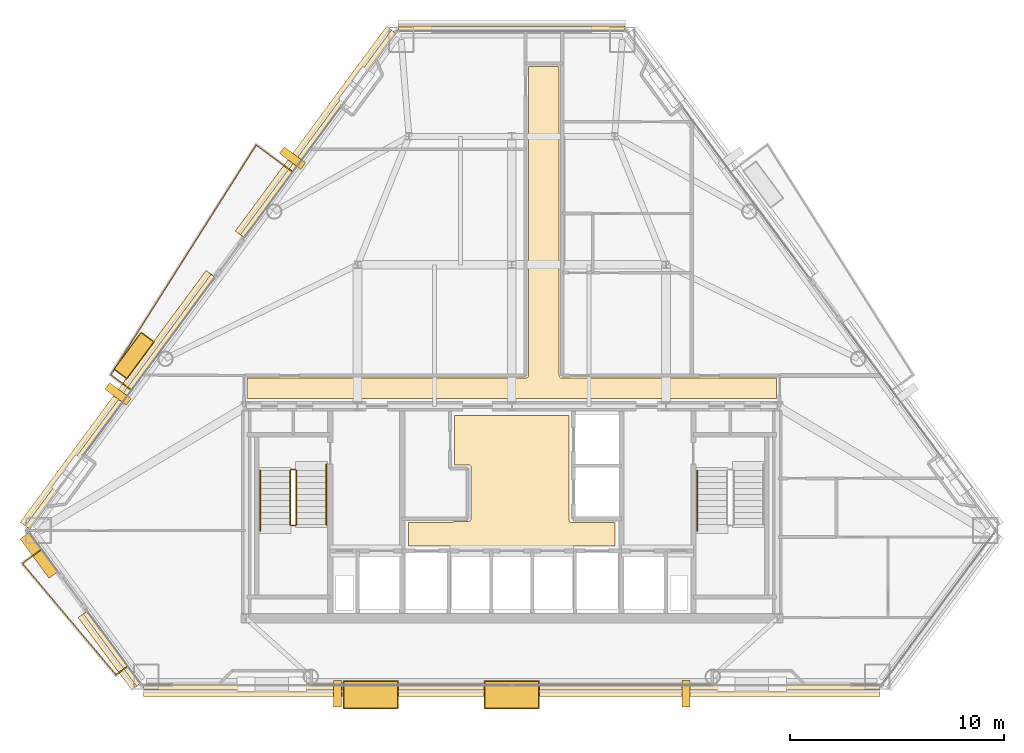
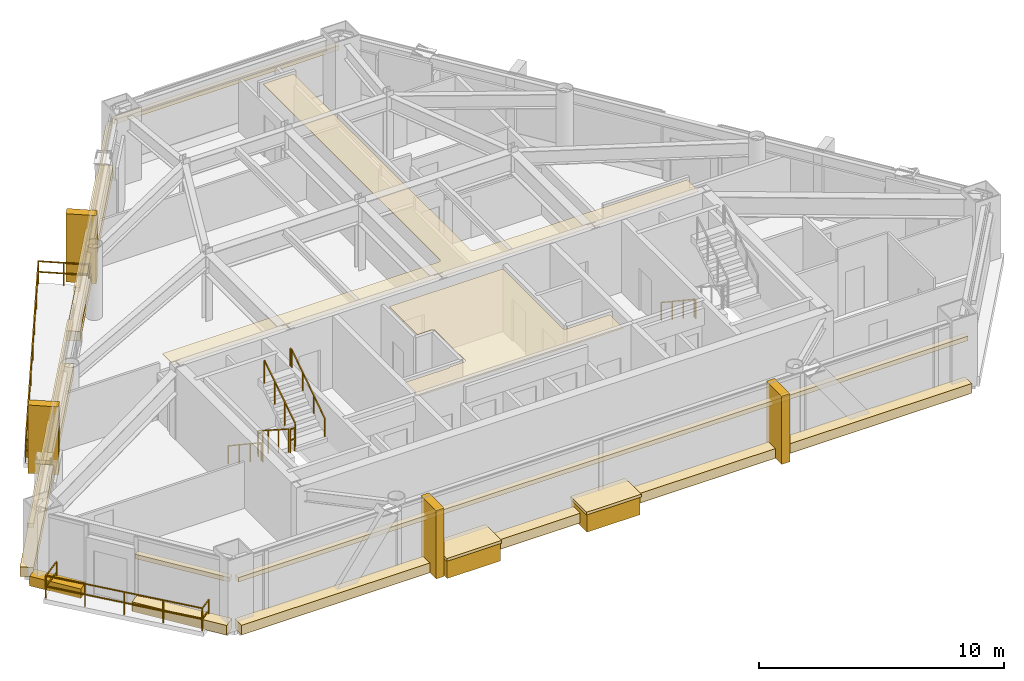
# One storey, part 10 of 11: 22 coverings, 9 railings.
"""IFC4 building model written with IfcOpenShell, lengths in metres."""

from ifc_helpers import new_model, si_unit, direction, frame, origin, origin_2d, place, context, subcontext, project, spatial, polyline, rectangle, outline, extrude, material, layer, layer_set, type_object, element, save


model = new_model("IFC4")

# Units and contexts
model_context = context("Model", 3, precision=1e-05, world=origin(), true_north=direction((0.0, 1.0)))
body_context = subcontext(model_context, "Body", "Model", "MODEL_VIEW")
ifc_project = project(units=[si_unit("LENGTHUNIT", "METRE"), si_unit("AREAUNIT", "SQUARE_METRE"), si_unit("VOLUMEUNIT", "CUBIC_METRE"), si_unit("PLANEANGLEUNIT", "RADIAN"), si_unit("MASSUNIT", "GRAM", prefix="KILO")], contexts=[model_context])

# Site, building, storey
site_placement = place(None, origin())
site = spatial("IfcSite", under=ifc_project, at=site_placement, CompositionType="ELEMENT")
building_placement = place(site_placement, origin())
building = spatial("IfcBuilding", under=site, at=building_placement, Name="Talgorran Terracotta Tower", CompositionType="ELEMENT")
storey_placement = place(building_placement, frame((0.0, 0.0, 136.5)))
storey = spatial("IfcBuildingStorey", under=building, at=storey_placement, Name="L35", CompositionType="ELEMENT", Elevation=136.5)

# Coverings
ifc_material_1 = material(Name="Kiln-Fired Terracotta Ochre Ceramic", Category="masonry")
ifc_layer_1 = layer(ifc_material_1, 0.179931640625, Name="COV_BAGUETTE_TERRACOTTA_SCREEN")
ifc_layer_set_1 = layer_set([ifc_layer_1], Name="Kiln-Fired Terracotta Ochre Ceramic")
covering_type_1 = type_object("IfcCoveringType", Name="COV_BAGUETTE_TERRACOTTA_SCREEN", PredefinedType="CLADDING", material=ifc_layer_set_1)
covering_1_placement = place(storey_placement, frame((-18.651611328125, -15.502197265625, 2.41015625), z_axis=(0.0, 0.0, 1.0), x_axis=(0.594359699802, -0.804199320598, 0.0)))
element("IfcCovering", 1, at=covering_1_placement, inside=storey, type_object=covering_type_1, Name="L35 Terracotta Baguette Solar Screen Assembly F11", PredefinedType="CLADDING", context=body_context, shape_type="SweptSolid", body=[
    extrude(rectangle(XDim=4.197021484375, YDim=0.260009765625, at=origin_2d()), origin(), (0.0, 0.0, 1.0), 0.219970703125),
])
covering_2_placement = place(storey_placement, frame((0.0, -17.31884765625, 2.41015625), z_axis=(0.0, 0.0, 1.0), x_axis=(1.0, 0.0, 0.0)))
element("IfcCovering", 2, at=covering_2_placement, inside=storey, type_object=covering_type_1, Name="L35 Terracotta Baguette Solar Screen Assembly F1", PredefinedType="CLADDING", context=body_context, shape_type="SweptSolid", body=[
    extrude(rectangle(XDim=34.377197265625, YDim=0.260009765625, at=origin_2d()), origin(), (0.0, 0.0, 1.0), 0.219970703125),
])
covering_3_placement = place(storey_placement, frame((0.0, 13.41357421875, 2.41015625), z_axis=(0.0, 0.0, 1.0), x_axis=(-1.0, 0.0, 0.0)))
element("IfcCovering", 3, at=covering_3_placement, inside=storey, type_object=covering_type_1, Name="L35 Terracotta Baguette Solar Screen Assembly F4", PredefinedType="CLADDING", context=body_context, shape_type="SweptSolid", body=[
    extrude(rectangle(XDim=10.586669921875, YDim=0.260009765625, at=origin_2d()), origin(), (0.0, 0.0, 1.0), 0.219970703125),
])
covering_4_placement = place(storey_placement, frame((-9.037109375, 8.510986328125, 2.41015625), z_axis=(0.0, 0.0, 1.0), x_axis=(-0.594359699802, -0.804199320598, 0.0)))
element("IfcCovering", 4, at=covering_4_placement, inside=storey, type_object=covering_type_1, Name="L35 Terracotta Baguette Solar Screen Assembly F60", PredefinedType="CLADDING", context=body_context, shape_type="SweptSolid", body=[
    extrude(rectangle(XDim=11.871337890625, YDim=0.260009765625, at=origin_2d()), origin(), (0.0, 0.0, 1.0), 0.219970703125),
])
covering_5_placement = place(storey_placement, frame((-18.2705078125, -3.982421875, 2.41015625), z_axis=(0.0, 0.0, 1.0), x_axis=(-0.594359699802, -0.804199320598, 0.0)))
element("IfcCovering", 5, at=covering_5_placement, inside=storey, type_object=covering_type_1, Name="L35 Terracotta Baguette Solar Screen Assembly F61", PredefinedType="CLADDING", context=body_context, shape_type="SweptSolid", body=[
    extrude(rectangle(XDim=14.598388671875, YDim=0.260009765625, at=origin_2d()), origin(), (0.0, 0.0, 1.0), 0.219970703125),
])
ifc_material_2 = material(Name="Mineral Fibre Acoustic Tile")
ifc_layer_2 = layer(ifc_material_2, 0.02490234375, Name="COV_CEIL_ACOUSTIC")
ifc_layer_set_2 = layer_set([ifc_layer_2], Name="Mineral Fibre Acoustic Tile")
covering_type_2 = type_object("IfcCoveringType", Name="COV_CEIL_ACOUSTIC", PredefinedType="CEILING", material=ifc_layer_set_2)
covering_6_placement = place(storey_placement, frame((0.0, 0.0, 3.260009765625)))
element("IfcCovering", 6, at=covering_6_placement, inside=storey, type_object=covering_type_2, Name="CEIL-L35-2", PredefinedType="CEILING", context=body_context, shape_type="SweptSolid", body=[
    extrude(outline(polyline([(-12.364990234375, -2.885009765625), (0.64990234375, -2.885009765625), (0.66162109375, -2.884521484375), (0.67333984375, -2.8828125), (0.6845703125, -2.8798828125), (0.69287109375, -2.87744140625), (0.7041015625, -2.87353515625), (0.714599609375, -2.868408203125), (0.724853515625, -2.8623046875), (0.734375, -2.85546875), (0.742919921875, -2.847412109375), (0.7509765625, -2.8388671875), (0.756591796875, -2.83203125), (0.763671875, -2.822509765625), (0.769775390625, -2.8125), (0.774658203125, -2.8017578125), (0.77880859375, -2.79052734375), (0.781494140625, -2.779296875), (0.783203125, -2.767578125), (0.783935546875, -2.755615234375), (0.784912109375, 11.6650390625), (2.215087890625, 11.6650390625), (2.215087890625, -2.75), (2.215576171875, -2.76171875), (2.21728515625, -2.773193359375), (2.22021484375, -2.78466796875), (2.22265625, -2.79296875), (2.2265625, -2.803955078125), (2.231689453125, -2.814697265625), (2.237548828125, -2.82470703125), (2.24462890625, -2.834228515625), (2.25244140625, -2.843017578125), (2.26123046875, -2.850830078125), (2.26806640625, -2.8564453125), (2.277587890625, -2.863525390625), (2.28759765625, -2.86962890625), (2.29833984375, -2.874755859375), (2.309326171875, -2.878662109375), (2.32080078125, -2.881591796875), (2.33251953125, -2.88330078125), (2.34423828125, -2.8837890625), (12.364990234375, -2.885009765625), (12.364990234375, -3.830078125), (12.169921875, -3.830078125), (12.158203125, -3.83056640625), (12.146484375, -3.832275390625), (12.13525390625, -3.835205078125), (12.1240234375, -3.839111328125), (12.11328125, -3.84423828125), (12.112060546875, -3.844970703125), (7.432861328125, -3.844970703125), (6.968017578125, -3.843017578125), (6.967529296875, -3.843017578125), (0.232666015625, -3.844970703125), (-0.23193359375, -3.843017578125), (-0.232421875, -3.843017578125), (-6.96728515625, -3.844970703125), (-7.431884765625, -3.843017578125), (-7.4326171875, -3.843017578125), (-12.112060546875, -3.844970703125), (-12.11328125, -3.84423828125), (-12.1240234375, -3.839111328125), (-12.13525390625, -3.835205078125), (-12.146484375, -3.832275390625), (-12.158203125, -3.83056640625), (-12.169921875, -3.830078125), (-12.364990234375, -3.830078125), (-12.364990234375, -2.885009765625)])), origin(), (0.0, 0.0, 1.0), 0.02001953125),
])
ifc_material_3 = material(Name="Flush Moisture-Resistant Plaster")
ifc_layer_3 = layer(ifc_material_3, 0.01806640625, Name="COV_CEIL_PLASTER")
ifc_layer_set_3 = layer_set([ifc_layer_3], Name="Flush Moisture-Resistant Plaster")
covering_type_3 = type_object("IfcCoveringType", Name="COV_CEIL_PLASTER", PredefinedType="CEILING", material=ifc_layer_set_3)
covering_7_placement = place(storey_placement, frame((0.0, 0.0, 3.260009765625)))
element("IfcCovering", 7, at=covering_7_placement, inside=storey, type_object=covering_type_3, Name="CEIL-L35-1", PredefinedType="CEILING", context=body_context, shape_type="SweptSolid", body=[
    extrude(outline(polyline([(-2.70263671875, -9.570068359375), (-2.02001953125, -9.570068359375), (-2.00830078125, -9.5693359375), (-1.99658203125, -9.567626953125), (-1.985107421875, -9.564697265625), (-1.97412109375, -9.560791015625), (-1.96337890625, -9.555908203125), (-1.953369140625, -9.5498046875), (-1.94384765625, -9.542724609375), (-1.93505859375, -9.534912109375), (-1.92724609375, -9.526123046875), (-1.920166015625, -9.5166015625), (-1.914306640625, -9.506591796875), (-1.9091796875, -9.495849609375), (-1.9052734375, -9.48486328125), (-1.90234375, -9.473388671875), (-1.900634765625, -9.4619140625), (-1.89990234375, -9.449951171875), (-1.89990234375, -7.050048828125), (-1.900634765625, -7.0380859375), (-1.90234375, -7.026611328125), (-1.9052734375, -7.01513671875), (-1.9091796875, -7.004150390625), (-1.914306640625, -6.993408203125), (-1.920166015625, -6.9833984375), (-1.92724609375, -6.973876953125), (-1.93505859375, -6.965087890625), (-1.94384765625, -6.957275390625), (-1.953369140625, -6.9501953125), (-1.96337890625, -6.944091796875), (-1.97412109375, -6.939208984375), (-1.985107421875, -6.935302734375), (-1.99658203125, -6.932373046875), (-2.00830078125, -6.9306640625), (-2.02001953125, -6.929931640625), (-2.679931640625, -6.929931640625), (-2.679931640625, -4.6201171875), (2.679931640625, -4.6201171875), (2.679931640625, -9.5), (2.6806640625, -9.51171875), (2.682373046875, -9.5234375), (2.685302734375, -9.534912109375), (2.689208984375, -9.5458984375), (2.694091796875, -9.556640625), (2.7001953125, -9.566650390625), (2.707275390625, -9.576171875), (2.715087890625, -9.5849609375), (2.723876953125, -9.5927734375), (2.7333984375, -9.599853515625), (2.743408203125, -9.605712890625), (2.754150390625, -9.61083984375), (2.76513671875, -9.61474609375), (2.776611328125, -9.61767578125), (2.7880859375, -9.619384765625), (2.800048828125, -9.6201171875), (4.830078125, -9.6201171875), (4.830078125, -10.72998046875), (-4.830078125, -10.72998046875), (-4.830078125, -9.6201171875), (-2.800048828125, -9.6201171875), (-2.7880859375, -9.619384765625), (-2.776611328125, -9.61767578125), (-2.76513671875, -9.61474609375), (-2.754150390625, -9.61083984375), (-2.743408203125, -9.605712890625), (-2.7333984375, -9.599853515625), (-2.723876953125, -9.5927734375), (-2.715087890625, -9.5849609375), (-2.707275390625, -9.576171875), (-2.70263671875, -9.570068359375)])), origin(), (0.0, 0.0, 1.0), 0.02001953125),
])
ifc_material_4 = material(Name="Honed Limestone and Terracotta Planter", Category="masonry")
ifc_layer_4 = layer(ifc_material_4, 0.1201171875, Name="COV_PLANTER_BOX")
ifc_layer_set_4 = layer_set([ifc_layer_4], Name="Honed Limestone and Terracotta Planter")
covering_type_4 = type_object("IfcCoveringType", Name="COV_PLANTER_BOX", PredefinedType="CLADDING", material=ifc_layer_set_4)
for number, where, z_axis, x_axis, name in (
    (8, (-6.581298828125, -17.658935546875, -0.179931640625), (0.0, 0.0, 1.0), (1.0, 0.0, 0.0), "L35 Staggered South Facade Planter Box 1"),
    (9, (0.0, -17.658935546875, -0.179931640625), (0.0, 0.0, 1.0), (1.0, 0.0, 0.0), "L35 Staggered South Facade Planter Box 2"),
):
    element("IfcCovering", number, at=place(storey_placement, frame(where, z_axis=z_axis, x_axis=x_axis)), inside=storey, type_object=covering_type_4, Name=name, PredefinedType="CLADDING", context=body_context, shape_type="SweptSolid", body=[
        extrude(rectangle(XDim=2.5, YDim=1.25, at=origin_2d()), origin(), (0.0, 0.0, 1.0), 0.919921875),
    ])
covering_8_placement = place(storey_placement, frame((-17.635009765625, -1.826904296875, -0.02001953125), z_axis=(0.0, 0.0, 1.0), x_axis=(-0.594359699802, -0.804199320598, 0.0)))
element("IfcCovering", 10, at=covering_8_placement, inside=storey, type_object=covering_type_4, Name="L35 Staggered Balcony Planter Box BAL-NW", PredefinedType="CLADDING", context=body_context, shape_type="SweptSolid", body=[
    extrude(rectangle(XDim=2.10009765625, YDim=0.719970703125, at=origin_2d()), origin(), (0.0, 0.0, 1.0), 0.860107421875),
])
ifc_material_5 = material(Name="Kiln-Fired Terracotta Planter Rim", Category="masonry")
ifc_layer_5 = layer(ifc_material_5, 0.10009765625, Name="COV_PLANTER_RIM")
ifc_layer_set_5 = layer_set([ifc_layer_5], Name="Kiln-Fired Terracotta Planter Rim")
covering_type_5 = type_object("IfcCoveringType", Name="COV_PLANTER_RIM", PredefinedType="CLADDING", material=ifc_layer_set_5)
for number, where, z_axis, x_axis, name in (
    (11, (-6.581298828125, -17.658935546875, 0.7099609375), (0.0, 0.0, 1.0), (1.0, 0.0, 0.0), "L35 South Planter Terracotta Rim 1"),
    (12, (0.0, -17.658935546875, 0.7099609375), (0.0, 0.0, 1.0), (1.0, 0.0, 0.0), "L35 South Planter Terracotta Rim 2"),
):
    element("IfcCovering", number, at=place(storey_placement, frame(where, z_axis=z_axis, x_axis=x_axis)), inside=storey, type_object=covering_type_5, Name=name, PredefinedType="CLADDING", context=body_context, shape_type="SweptSolid", body=[
        extrude(rectangle(XDim=2.580078125, YDim=1.320068359375, at=origin_2d()), origin(), (0.0, 0.0, 1.0), 0.139892578125),
    ])
covering_9_placement = place(storey_placement, frame((-17.635009765625, -1.826904296875, 0.800048828125), z_axis=(0.0, 0.0, 1.0), x_axis=(-0.594359699802, -0.804199320598, 0.0)))
element("IfcCovering", 13, at=covering_9_placement, inside=storey, type_object=covering_type_5, Name="L35 Balcony Planter Terracotta Rim BAL-NW", PredefinedType="CLADDING", context=body_context, shape_type="SweptSolid", body=[
    extrude(rectangle(XDim=2.179931640625, YDim=0.780029296875, at=origin_2d()), origin(), (0.0, 0.0, 1.0), 0.1201171875),
])
ifc_material_6 = material(Name="Honed Limestone Cladding", Category="masonry")
ifc_layer_6 = layer(ifc_material_6, 0.094970703125, Name="COV_PORTAL_LIME")
ifc_layer_set_6 = layer_set([ifc_layer_6], Name="Honed Limestone Cladding")
covering_type_6 = type_object("IfcCoveringType", Name="COV_PORTAL_LIME", PredefinedType="CLADDING", material=ifc_layer_set_6)
for number, where, z_axis, x_axis, name in (
    (14, (-8.139892578125, -17.618896484375, -0.050048828125), (0.0, 0.0, 1.0), (1.0, 0.0, 0.0), "L35 White Striped Portal Fin F1-1"),
    (15, (-10.238525390625, 7.389892578125, -0.050048828125), (0.0, 0.0, 1.0), (-0.594359699802, -0.804199320598, 0.0), "L35 White Striped Portal Fin F5-1"),
):
    element("IfcCovering", number, at=place(storey_placement, frame(where, z_axis=z_axis, x_axis=x_axis)), inside=storey, type_object=covering_type_6, Name=name, PredefinedType="CLADDING", context=body_context, shape_type="SweptSolid", body=[
        extrude(rectangle(XDim=0.3798828125, YDim=1.25, at=origin_2d()), origin(), (0.0, 0.0, 1.0), 3.39990234375),
    ])
ifc_material_7 = material(Name="Kiln-Fired Terracotta Cladding", Category="masonry")
ifc_layer_7 = layer(ifc_material_7, 0.090087890625, Name="COV_PORTAL_TERRA")
ifc_layer_set_7 = layer_set([ifc_layer_7], Name="Kiln-Fired Terracotta Cladding")
covering_type_7 = type_object("IfcCoveringType", Name="COV_PORTAL_TERRA", PredefinedType="CLADDING", material=ifc_layer_set_7)
covering_10_placement = place(storey_placement, frame((-22.0498046875, -11.139892578125, -0.0400390625), z_axis=(0.0, 0.0, 1.0), x_axis=(0.594345663786, -0.80420969401, 0.0)))
element("IfcCovering", 16, at=covering_10_placement, inside=storey, type_object=covering_type_7, Name="L35 Striped Postmodern Portal Cladding Band F10", PredefinedType="CLADDING", context=body_context, shape_type="SweptSolid", body=[
    extrude(rectangle(XDim=2.279296875, YDim=0.56005859375, at=origin_2d()), origin(), (0.0, 0.0, 1.0), 0.47998046875),
])
covering_11_placement = place(storey_placement, frame((-18.764404296875, -15.58544921875, -0.0400390625), z_axis=(0.0, 0.0, 1.0), x_axis=(0.594359699802, -0.804199320598, 0.0)))
element("IfcCovering", 17, at=covering_11_placement, inside=storey, type_object=covering_type_7, Name="L35 Striped Postmodern Portal Cladding Band F11", PredefinedType="CLADDING", context=body_context, shape_type="SweptSolid", body=[
    extrude(rectangle(XDim=4.216796875, YDim=0.56005859375, at=origin_2d()), origin(), (0.0, 0.0, 1.0), 0.47998046875),
])
covering_12_placement = place(storey_placement, frame((0.0, -17.458984375, -0.0400390625), z_axis=(0.0, 0.0, 1.0), x_axis=(1.0, 0.0, 0.0)))
element("IfcCovering", 18, at=covering_12_placement, inside=storey, type_object=covering_type_7, Name="L35 Striped Postmodern Portal Cladding Band F1", PredefinedType="CLADDING", context=body_context, shape_type="SweptSolid", body=[
    extrude(rectangle(XDim=34.397216796875, YDim=0.56005859375, at=origin_2d()), origin(), (0.0, 0.0, 1.0), 0.47998046875),
])
covering_13_placement = place(storey_placement, frame((-9.149658203125, 8.593994140625, -0.0400390625), z_axis=(0.0, 0.0, 1.0), x_axis=(-0.594359699802, -0.804199320598, 0.0)))
element("IfcCovering", 19, at=covering_13_placement, inside=storey, type_object=covering_type_7, Name="L35 Striped Postmodern Portal Cladding Band F60", PredefinedType="CLADDING", context=body_context, shape_type="SweptSolid", body=[
    extrude(rectangle(XDim=11.891357421875, YDim=0.56005859375, at=origin_2d()), origin(), (0.0, 0.0, 1.0), 0.47998046875),
])
covering_14_placement = place(storey_placement, frame((-18.383056640625, -3.899169921875, -0.0400390625), z_axis=(0.0, 0.0, 1.0), x_axis=(-0.594359699802, -0.804199320598, 0.0)))
element("IfcCovering", 20, at=covering_14_placement, inside=storey, type_object=covering_type_7, Name="L35 Striped Postmodern Portal Cladding Band F61", PredefinedType="CLADDING", context=body_context, shape_type="SweptSolid", body=[
    extrude(rectangle(XDim=14.618408203125, YDim=0.56005859375, at=origin_2d()), origin(), (0.0, 0.0, 1.0), 0.47998046875),
])
for number, where, z_axis, x_axis, name in (
    (21, (8.139892578125, -17.618896484375, -0.050048828125), (0.0, 0.0, 1.0), (1.0, 0.0, 0.0), "L35 Terracotta Striped Portal Fin F1-2"),
    (22, (-18.37841796875, -3.623779296875, -0.050048828125), (0.0, 0.0, 1.0), (-0.594359699802, -0.804199320598, 0.0), "L35 Terracotta Striped Portal Fin F5-2"),
):
    element("IfcCovering", number, at=place(storey_placement, frame(where, z_axis=z_axis, x_axis=x_axis)), inside=storey, type_object=covering_type_7, Name=name, PredefinedType="CLADDING", context=body_context, shape_type="SweptSolid", body=[
        extrude(rectangle(XDim=0.3798828125, YDim=1.25, at=origin_2d()), origin(), (0.0, 0.0, 1.0), 3.39990234375),
    ])

# Railings
ifc_material_8 = material(Name="Laminated Glass and Stainless Steel 316", Category="steel")
railing_type_1 = type_object("IfcRailingType", Name="RL_BALCONY_1150", PredefinedType="BALUSTRADE", material=ifc_material_8)
railing_1_placement = place(storey_placement, frame((-10.240234375, 6.748291015625, 0.0)))
element("IfcRailing", 23, at=railing_1_placement, inside=storey, type_object=railing_type_1, Name="RL-L35-BAL-BAL-NW", PredefinedType="BALUSTRADE", context=body_context, shape_type="SweptSolid", body=[
    extrude(rectangle(XDim=0.048095703125, YDim=0.048095703125, at=origin_2d()), frame((0.0, 0.0, 1.1259765625), z_axis=(-0.804229220954, 0.59431924095, 0.0), x_axis=(-0.59431924095, -0.804229220954, 0.0)), (0.0, 0.0, 1.0), 2.102783203125),
    extrude(rectangle(XDim=0.048095703125, YDim=0.048095703125, at=origin_2d()), frame((0.0, 0.0, 0.597900390625), z_axis=(-0.804229220954, 0.59431924095, 0.0), x_axis=(-0.59431924095, -0.804229220954, 0.0)), (0.0, 0.0, 1.0), 2.102783203125),
    extrude(rectangle(XDim=0.048095703125, YDim=0.048095703125, at=origin_2d()), frame((-1.691162109375, 1.249755859375, 1.1259765625), z_axis=(-0.534811846429, -0.844971176383, 0.0), x_axis=(0.844971176383, -0.534811846429, 0.0)), (0.0, 0.0, 1.0), 12.6943359375),
    extrude(rectangle(XDim=0.048095703125, YDim=0.048095703125, at=origin_2d()), frame((-1.691162109375, 1.249755859375, 0.597900390625), z_axis=(-0.534811846429, -0.844971176383, 0.0), x_axis=(0.844971176383, -0.534811846429, 0.0)), (0.0, 0.0, 1.0), 12.6943359375),
    extrude(rectangle(XDim=0.048095703125, YDim=0.048095703125, at=origin_2d()), frame((-8.480224609375, -9.4765625, 1.1259765625), z_axis=(0.804248787386, -0.59429276286, 0.0), x_axis=(0.59429276286, 0.804248787386, 0.0)), (0.0, 0.0, 1.0), 1.187255859375),
    extrude(rectangle(XDim=0.048095703125, YDim=0.048095703125, at=origin_2d()), frame((-8.480224609375, -9.4765625, 0.597900390625), z_axis=(0.804248787386, -0.59429276286, 0.0), x_axis=(0.59429276286, 0.804248787386, 0.0)), (0.0, 0.0, 1.0), 1.187255859375),
    extrude(rectangle(XDim=0.0419921875, YDim=0.0419921875, at=origin_2d()), origin(), (0.0, 0.0, 1.0), 1.101806640625),
    extrude(rectangle(XDim=0.0419921875, YDim=0.0419921875, at=origin_2d()), frame((-0.845703125, 0.625, 0.0)), (0.0, 0.0, 1.0), 1.101806640625),
    extrude(rectangle(XDim=0.0419921875, YDim=0.0419921875, at=origin_2d()), frame((-1.691162109375, 1.249755859375, 0.0)), (0.0, 0.0, 1.0), 1.101806640625),
    extrude(rectangle(XDim=0.0419921875, YDim=0.0419921875, at=origin_2d()), frame((-2.6611328125, -0.282470703125, 0.0)), (0.0, 0.0, 1.0), 1.101806640625),
    extrude(rectangle(XDim=0.0419921875, YDim=0.0419921875, at=origin_2d()), frame((-3.630859375, -1.81494140625, 0.0)), (0.0, 0.0, 1.0), 1.101806640625),
    extrude(rectangle(XDim=0.0419921875, YDim=0.0419921875, at=origin_2d()), frame((-4.600830078125, -3.34716796875, 0.0)), (0.0, 0.0, 1.0), 1.101806640625),
    extrude(rectangle(XDim=0.0419921875, YDim=0.0419921875, at=origin_2d()), frame((-5.570556640625, -4.879638671875, 0.0)), (0.0, 0.0, 1.0), 1.101806640625),
    extrude(rectangle(XDim=0.0419921875, YDim=0.0419921875, at=origin_2d()), frame((-6.54052734375, -6.411865234375, 0.0)), (0.0, 0.0, 1.0), 1.101806640625),
    extrude(rectangle(XDim=0.0419921875, YDim=0.0419921875, at=origin_2d()), frame((-7.51025390625, -7.9443359375, 0.0)), (0.0, 0.0, 1.0), 1.101806640625),
    extrude(rectangle(XDim=0.0419921875, YDim=0.0419921875, at=origin_2d()), frame((-8.480224609375, -9.4765625, 0.0)), (0.0, 0.0, 1.0), 1.101806640625),
    extrude(rectangle(XDim=0.0419921875, YDim=0.0419921875, at=origin_2d()), frame((-7.525390625, -10.18212890625, 0.0)), (0.0, 0.0, 1.0), 1.101806640625),
])
railing_2_placement = place(storey_placement, frame((-21.964111328125, -10.8857421875, 0.0)))
element("IfcRailing", 24, at=railing_2_placement, inside=storey, type_object=railing_type_1, Name="RL-L35-BAL-BAL-SW", PredefinedType="BALUSTRADE", context=body_context, shape_type="SweptSolid", body=[
    extrude(rectangle(XDim=0.048095703125, YDim=0.048095703125, at=origin_2d()), frame((0.0, 0.0, 1.1259765625), z_axis=(-0.804162214231, -0.594409903352, 0.0), x_axis=(0.594409903352, -0.804162214231, 0.0)), (0.0, 0.0, 1.0), 1.093017578125),
    extrude(rectangle(XDim=0.048095703125, YDim=0.048095703125, at=origin_2d()), frame((0.0, 0.0, 0.597900390625), z_axis=(-0.804162214231, -0.594409903352, 0.0), x_axis=(0.594409903352, -0.804162214231, 0.0)), (0.0, 0.0, 1.0), 1.093017578125),
    extrude(rectangle(XDim=0.048095703125, YDim=0.048095703125, at=origin_2d()), frame((-0.87890625, -0.649658203125, 1.1259765625), z_axis=(0.64326040285, -0.765647473793, 0.0), x_axis=(0.765647473793, 0.64326040285, 0.0)), (0.0, 0.0, 1.0), 6.788330078125),
    extrude(rectangle(XDim=0.048095703125, YDim=0.048095703125, at=origin_2d()), frame((-0.87890625, -0.649658203125, 0.597900390625), z_axis=(0.64326040285, -0.765647473793, 0.0), x_axis=(0.765647473793, 0.64326040285, 0.0)), (0.0, 0.0, 1.0), 6.788330078125),
    extrude(rectangle(XDim=0.048095703125, YDim=0.048095703125, at=origin_2d()), frame((3.48779296875, -5.84716796875, 1.1259765625), z_axis=(0.804304760688, 0.594217007443, 0.0), x_axis=(-0.594217007443, 0.804304760688, 0.0)), (0.0, 0.0, 1.0), 0.67041015625),
    extrude(rectangle(XDim=0.048095703125, YDim=0.048095703125, at=origin_2d()), frame((3.48779296875, -5.84716796875, 0.597900390625), z_axis=(0.804304760688, 0.594217007443, 0.0), x_axis=(-0.594217007443, 0.804304760688, 0.0)), (0.0, 0.0, 1.0), 0.67041015625),
    extrude(rectangle(XDim=0.0419921875, YDim=0.0419921875, at=origin_2d()), origin(), (0.0, 0.0, 1.0), 1.101806640625),
    extrude(rectangle(XDim=0.0419921875, YDim=0.0419921875, at=origin_2d()), frame((-0.87890625, -0.649658203125, 0.0)), (0.0, 0.0, 1.0), 1.101806640625),
    extrude(rectangle(XDim=0.0419921875, YDim=0.0419921875, at=origin_2d()), frame((0.212890625, -1.948974609375, 0.0)), (0.0, 0.0, 1.0), 1.101806640625),
    extrude(rectangle(XDim=0.0419921875, YDim=0.0419921875, at=origin_2d()), frame((1.304443359375, -3.24853515625, 0.0)), (0.0, 0.0, 1.0), 1.101806640625),
    extrude(rectangle(XDim=0.0419921875, YDim=0.0419921875, at=origin_2d()), frame((2.39599609375, -4.5478515625, 0.0)), (0.0, 0.0, 1.0), 1.101806640625),
    extrude(rectangle(XDim=0.0419921875, YDim=0.0419921875, at=origin_2d()), frame((3.48779296875, -5.84716796875, 0.0)), (0.0, 0.0, 1.0), 1.101806640625),
    extrude(rectangle(XDim=0.0419921875, YDim=0.0419921875, at=origin_2d()), frame((4.027099609375, -5.44873046875, 0.0)), (0.0, 0.0, 1.0), 1.101806640625),
])
ifc_material_9 = material(Name="Steel S355 (300PLUS)", Category="steel")
railing_type_2 = type_object("IfcRailingType", Name="RL_HANDRAIL_920", PredefinedType="HANDRAIL", material=ifc_material_9)
railing_3_placement = place(storey_placement, frame((-11.75, -7.199951171875, 0.179931640625)))
element("IfcRailing", 25, at=railing_3_placement, inside=storey, type_object=railing_type_2, Name="L35 ST-01 stair handrail 1", PredefinedType="HANDRAIL", context=body_context, shape_type="SweptSolid", body=[
    extrude(rectangle(XDim=0.048095703125, YDim=0.048095703125, at=origin_2d()), frame((0.0, 0.0, 0.89599609375), z_axis=(0.0, -0.832038719335, 0.554717558338), x_axis=(1.0, 0.0, 0.0)), (0.0, 0.0, 1.0), 3.244873046875),
    extrude(rectangle(XDim=0.048095703125, YDim=0.048095703125, at=origin_2d()), frame((0.0, -2.699951171875, 2.69580078125), z_axis=(0.0, -1.0, 0.0), x_axis=(1.0, 0.0, 0.0)), (0.0, 0.0, 1.0), 0.1201171875),
    extrude(rectangle(XDim=0.0419921875, YDim=0.0419921875, at=origin_2d()), origin(), (0.0, 0.0, 1.0), 0.871826171875),
    extrude(rectangle(XDim=0.0419921875, YDim=0.0419921875, at=origin_2d()), frame((0.0, -0.89990234375, 0.60009765625)), (0.0, 0.0, 1.0), 0.871826171875),
    extrude(rectangle(XDim=0.0419921875, YDim=0.0419921875, at=origin_2d()), frame((0.0, -1.800048828125, 1.199951171875)), (0.0, 0.0, 1.0), 0.871826171875),
    extrude(rectangle(XDim=0.0419921875, YDim=0.0419921875, at=origin_2d()), frame((0.0, -2.699951171875, 1.800048828125)), (0.0, 0.0, 1.0), 0.871826171875),
    extrude(rectangle(XDim=0.0419921875, YDim=0.0419921875, at=origin_2d()), frame((0.0, -2.820068359375, 1.800048828125)), (0.0, 0.0, 1.0), 0.871826171875),
])
railing_4_placement = place(storey_placement, frame((-8.64990234375, -9.719970703125, 1.97998046875)))
element("IfcRailing", 26, at=railing_4_placement, inside=storey, type_object=railing_type_2, Name="L35 ST-01 stair handrail 2", PredefinedType="HANDRAIL", context=body_context, shape_type="SweptSolid", body=[
    extrude(rectangle(XDim=0.048095703125, YDim=0.048095703125, at=origin_2d()), frame((0.0, 0.0, 0.89599609375), z_axis=(0.0, 0.832038719335, 0.554717558338), x_axis=(-1.0, 0.0, 0.0)), (0.0, 0.0, 1.0), 3.244873046875),
    extrude(rectangle(XDim=0.048095703125, YDim=0.048095703125, at=origin_2d()), frame((0.0, 2.699951171875, 2.69580078125), z_axis=(0.0, 1.0, 0.0), x_axis=(-1.0, 0.0, 0.0)), (0.0, 0.0, 1.0), 0.1201171875),
    extrude(rectangle(XDim=0.0419921875, YDim=0.0419921875, at=origin_2d()), origin(), (0.0, 0.0, 1.0), 0.871826171875),
    extrude(rectangle(XDim=0.0419921875, YDim=0.0419921875, at=origin_2d()), frame((0.0, 0.89990234375, 0.60009765625)), (0.0, 0.0, 1.0), 0.871826171875),
    extrude(rectangle(XDim=0.0419921875, YDim=0.0419921875, at=origin_2d()), frame((0.0, 1.800048828125, 1.199951171875)), (0.0, 0.0, 1.0), 0.871826171875),
    extrude(rectangle(XDim=0.0419921875, YDim=0.0419921875, at=origin_2d()), frame((0.0, 2.699951171875, 1.800048828125)), (0.0, 0.0, 1.0), 0.871826171875),
    extrude(rectangle(XDim=0.0419921875, YDim=0.0419921875, at=origin_2d()), frame((0.0, 2.820068359375, 1.800048828125)), (0.0, 0.0, 1.0), 0.871826171875),
])
railing_5_placement = place(storey_placement, frame((8.64990234375, -7.199951171875, 0.179931640625)))
element("IfcRailing", 27, at=railing_5_placement, inside=storey, type_object=railing_type_2, Name="L35 ST-02 stair handrail 1", PredefinedType="HANDRAIL", context=body_context, shape_type="SweptSolid", body=[
    extrude(rectangle(XDim=0.048095703125, YDim=0.048095703125, at=origin_2d()), frame((0.0, 0.0, 0.89599609375), z_axis=(0.0, -0.832038719335, 0.554717558338), x_axis=(1.0, 0.0, 0.0)), (0.0, 0.0, 1.0), 3.244873046875),
    extrude(rectangle(XDim=0.048095703125, YDim=0.048095703125, at=origin_2d()), frame((0.0, -2.699951171875, 2.69580078125), z_axis=(0.0, -1.0, 0.0), x_axis=(1.0, 0.0, 0.0)), (0.0, 0.0, 1.0), 0.1201171875),
    extrude(rectangle(XDim=0.0419921875, YDim=0.0419921875, at=origin_2d()), origin(), (0.0, 0.0, 1.0), 0.871826171875),
    extrude(rectangle(XDim=0.0419921875, YDim=0.0419921875, at=origin_2d()), frame((0.0, -0.89990234375, 0.60009765625)), (0.0, 0.0, 1.0), 0.871826171875),
    extrude(rectangle(XDim=0.0419921875, YDim=0.0419921875, at=origin_2d()), frame((0.0, -1.800048828125, 1.199951171875)), (0.0, 0.0, 1.0), 0.871826171875),
    extrude(rectangle(XDim=0.0419921875, YDim=0.0419921875, at=origin_2d()), frame((0.0, -2.699951171875, 1.800048828125)), (0.0, 0.0, 1.0), 0.871826171875),
    extrude(rectangle(XDim=0.0419921875, YDim=0.0419921875, at=origin_2d()), frame((0.0, -2.820068359375, 1.800048828125)), (0.0, 0.0, 1.0), 0.871826171875),
])
railing_type_3 = type_object("IfcRailingType", Name="RL_STAIR_GUARD", PredefinedType="GUARDRAIL", material=ifc_material_9)
railing_6_placement = place(storey_placement, frame((-10.35009765625, -7.199951171875, 0.179931640625)))
element("IfcRailing", 28, at=railing_6_placement, inside=storey, type_object=railing_type_3, Name="L35 ST-01 stair guard 1", PredefinedType="GUARDRAIL", context=body_context, shape_type="SweptSolid", body=[
    extrude(rectangle(XDim=0.048095703125, YDim=0.048095703125, at=origin_2d()), frame((0.0, 0.0, 1.15576171875), z_axis=(0.0, -0.841162588446, 0.540782303519), x_axis=(1.0, 0.0, 0.0)), (0.0, 0.0, 1.0), 2.995849609375),
    extrude(rectangle(XDim=0.0419921875, YDim=0.0419921875, at=origin_2d()), origin(), (0.0, 0.0, 1.0), 1.1318359375),
    extrude(rectangle(XDim=0.0419921875, YDim=0.0419921875, at=origin_2d()), frame((0.0, -0.840087890625, 0.5400390625)), (0.0, 0.0, 1.0), 1.1318359375),
    extrude(rectangle(XDim=0.0419921875, YDim=0.0419921875, at=origin_2d()), frame((0.0, -1.679931640625, 1.080078125)), (0.0, 0.0, 1.0), 1.1318359375),
    extrude(rectangle(XDim=0.0419921875, YDim=0.0419921875, at=origin_2d()), frame((0.0, -2.52001953125, 1.6201171875)), (0.0, 0.0, 1.0), 1.1318359375),
])
railing_7_placement = place(storey_placement, frame((-10.300048828125, -9.77001953125, 1.800048828125)))
element("IfcRailing", 29, at=railing_7_placement, inside=storey, type_object=railing_type_3, Name="L35 ST-01 stair guard 2", PredefinedType="GUARDRAIL", context=body_context, shape_type="SweptSolid", body=[
    extrude(rectangle(XDim=0.048095703125, YDim=0.048095703125, at=origin_2d()), frame((0.0, 0.0, 1.15576171875), z_axis=(1.0, 0.0, 0.0), x_axis=(0.0, 1.0, 0.0)), (0.0, 0.0, 1.0), 0.199951171875),
    extrude(rectangle(XDim=0.048095703125, YDim=0.048095703125, at=origin_2d()), frame((0.0, 0.0, 0.613525390625), z_axis=(1.0, 0.0, 0.0), x_axis=(0.0, 1.0, 0.0)), (0.0, 0.0, 1.0), 0.199951171875),
    extrude(rectangle(XDim=0.0419921875, YDim=0.0419921875, at=origin_2d()), origin(), (0.0, 0.0, 1.0), 1.1318359375),
    extrude(rectangle(XDim=0.0419921875, YDim=0.0419921875, at=origin_2d()), frame((0.199951171875, 0.0, 0.0)), (0.0, 0.0, 1.0), 1.1318359375),
])
railing_8_placement = place(storey_placement, frame((-10.050048828125, -9.719970703125, 1.97998046875)))
element("IfcRailing", 30, at=railing_8_placement, inside=storey, type_object=railing_type_3, Name="L35 ST-01 stair guard 3", PredefinedType="GUARDRAIL", context=body_context, shape_type="SweptSolid", body=[
    extrude(rectangle(XDim=0.048095703125, YDim=0.048095703125, at=origin_2d()), frame((0.0, 0.0, 1.15576171875), z_axis=(0.0, 0.841162588446, 0.540782303519), x_axis=(-1.0, 0.0, 0.0)), (0.0, 0.0, 1.0), 2.995849609375),
    extrude(rectangle(XDim=0.0419921875, YDim=0.0419921875, at=origin_2d()), origin(), (0.0, 0.0, 1.0), 1.1318359375),
    extrude(rectangle(XDim=0.0419921875, YDim=0.0419921875, at=origin_2d()), frame((0.0, 0.840087890625, 0.5400390625)), (0.0, 0.0, 1.0), 1.1318359375),
    extrude(rectangle(XDim=0.0419921875, YDim=0.0419921875, at=origin_2d()), frame((0.0, 1.679931640625, 1.080078125)), (0.0, 0.0, 1.0), 1.1318359375),
    extrude(rectangle(XDim=0.0419921875, YDim=0.0419921875, at=origin_2d()), frame((0.0, 2.52001953125, 1.6201171875)), (0.0, 0.0, 1.0), 1.1318359375),
])
railing_9_placement = place(storey_placement, frame((-10.300048828125, -7.14990234375, 0.0)))
element("IfcRailing", 31, at=railing_9_placement, inside=storey, type_object=railing_type_3, Name="L35 ST-01 stair guard 4", PredefinedType="GUARDRAIL", context=body_context, shape_type="SweptSolid", body=[
    extrude(rectangle(XDim=0.048095703125, YDim=0.048095703125, at=origin_2d()), frame((0.0, 0.0, 1.15576171875), z_axis=(1.0, 0.0, 0.0), x_axis=(0.0, 1.0, 0.0)), (0.0, 0.0, 1.0), 0.199951171875),
    extrude(rectangle(XDim=0.048095703125, YDim=0.048095703125, at=origin_2d()), frame((0.0, 0.0, 0.613525390625), z_axis=(1.0, 0.0, 0.0), x_axis=(0.0, 1.0, 0.0)), (0.0, 0.0, 1.0), 0.199951171875),
    extrude(rectangle(XDim=0.0419921875, YDim=0.0419921875, at=origin_2d()), origin(), (0.0, 0.0, 1.0), 1.1318359375),
    extrude(rectangle(XDim=0.0419921875, YDim=0.0419921875, at=origin_2d()), frame((0.199951171875, 0.0, 0.0)), (0.0, 0.0, 1.0), 1.1318359375),
])

save(model, "model.ifc")
